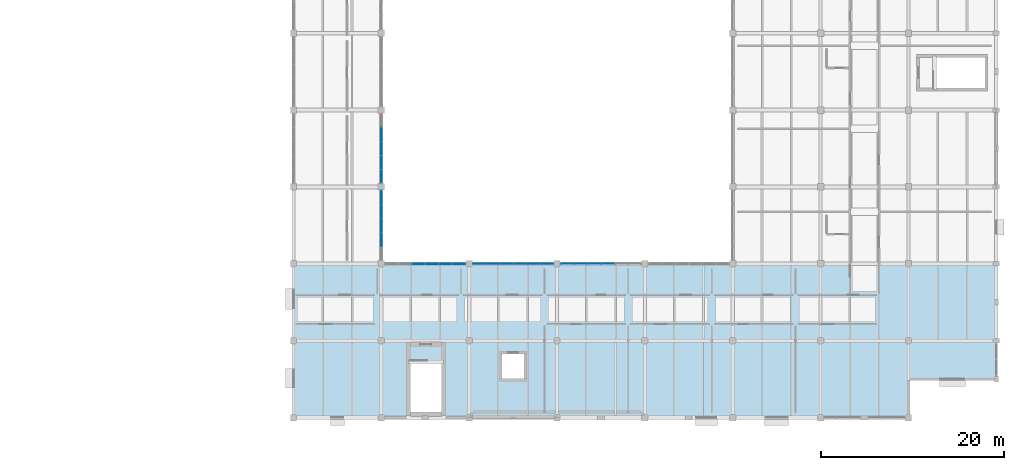
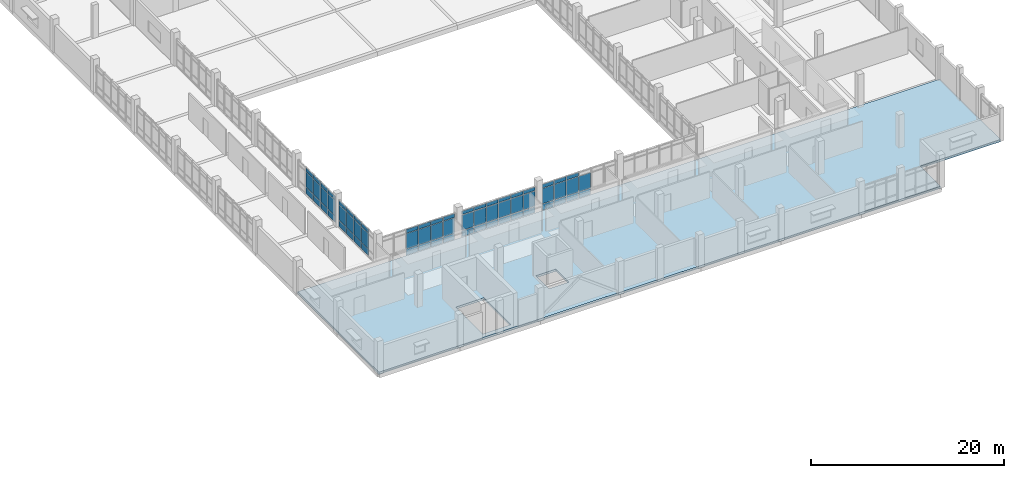
# One storey, part 26 of 57: 65 plates, 1 slab, 5 elements without a shape of their own.
"""IFC4 building model written with IfcOpenShell, lengths in metres."""

from ifc_helpers import new_model, si_unit, direction, frame, origin, origin_2d, place, context, subcontext, project, spatial, polyline, rectangle, outline, extrude, material, layer, layer_set, type_object, element, aggregate, save


model = new_model("IFC4")

# Units and contexts
model_context = context("Model", 3, precision=1e-05, world=origin(), true_north=direction((0.0, 1.0)))
body_context = subcontext(model_context, "Body", "Model", "MODEL_VIEW")
ifc_project = project(units=[si_unit("LENGTHUNIT", "METRE"), si_unit("AREAUNIT", "SQUARE_METRE"), si_unit("VOLUMEUNIT", "CUBIC_METRE"), si_unit("PLANEANGLEUNIT", "RADIAN"), si_unit("MASSUNIT", "GRAM", prefix="KILO")], contexts=[model_context])

# Site, building, storey
site_placement = place(None, origin())
site = spatial("IfcSite", under=ifc_project, at=site_placement, CompositionType="ELEMENT")
building_placement = place(site_placement, origin())
building = spatial("IfcBuilding", under=site, at=building_placement, Name="Oolite Switchyard Hospital", CompositionType="ELEMENT")
storey_placement = place(building_placement, frame((0.0, 0.0, 17.800048828125)))
storey = spatial("IfcBuildingStorey", under=building, at=storey_placement, Name="L04", CompositionType="ELEMENT", Elevation=17.800048828125)

# Curtain wall, plates
ifc_material_1 = material(Name="Thermally broken aluminum frame with laminated impact glazing", Category="aluminium")
curtain_wall_type_1 = type_object("IfcCurtainWallType", Name="CW-UNIT-84X42", PredefinedType="USERDEFINED", material=ifc_material_1)
curtain_wall_1_placement = place(storey_placement, origin())
curtain_wall_1 = element("IfcCurtainWall", 1, at=curtain_wall_1_placement, inside=storey, type_object=curtain_wall_type_1, Name="L04 Unitised Curtain Wall 368", ObjectType="UNITISED", PredefinedType="USERDEFINED")
ifc_material_2 = material(Name="Insulated fluoropolymer-coated aluminum spandrel panel", Category="aluminium")
ifc_layer_1 = layer(ifc_material_2, 0.054931640625)
ifc_layer_set_1 = layer_set([ifc_layer_1], Name="CW-PNL-SPN55")
plate_type_1 = type_object("IfcPlateType", Name="CW-PNL-SPN55", PredefinedType="CURTAIN_PANEL", material=ifc_layer_set_1)
plate_1_placement = place(storey_placement, frame((144.0, 32.452880859375, 0.06005859375), z_axis=(0.0, 0.0, 1.0), x_axis=(0.0, -1.0, 0.0)))
plate_1 = element("IfcPlate", 2, at=plate_1_placement, type_object=plate_type_1, Name="CW-10 panel 1.1", PredefinedType="CURTAIN_PANEL", context=body_context, shape_type="SweptSolid", body=[
    extrude(rectangle(XDim=1.444091796875, YDim=0.054931640625, at=origin_2d()), origin(), (0.0, 0.0, 1.0), 0.760009765625),
])
plate_2_placement = place(storey_placement, frame((144.0, 32.452880859375, 0.8798828125), z_axis=(0.0, 0.0, 1.0), x_axis=(0.0, -1.0, 0.0)))
plate_2 = element("IfcPlate", 3, at=plate_2_placement, type_object=plate_type_1, Name="CW-10 panel 1.2", PredefinedType="CURTAIN_PANEL", context=body_context, shape_type="SweptSolid", body=[
    extrude(rectangle(XDim=1.444091796875, YDim=0.054931640625, at=origin_2d()), origin(), (0.0, 0.0, 1.0), 1.929931640625),
])
plate_3_placement = place(storey_placement, frame((144.0, 32.452880859375, 2.869873046875), z_axis=(0.0, 0.0, 1.0), x_axis=(0.0, -1.0, 0.0)))
plate_3 = element("IfcPlate", 4, at=plate_3_placement, type_object=plate_type_1, Name="CW-10 panel 1.3", PredefinedType="CURTAIN_PANEL", context=body_context, shape_type="SweptSolid", body=[
    extrude(rectangle(XDim=1.444091796875, YDim=0.054931640625, at=origin_2d()), origin(), (0.0, 0.0, 1.0), 0.4599609375),
])
plate_4_placement = place(storey_placement, frame((144.0, 30.93408203125, 0.06005859375), z_axis=(0.0, 0.0, 1.0), x_axis=(0.0, -1.0, 0.0)))
plate_4 = element("IfcPlate", 5, at=plate_4_placement, type_object=plate_type_1, Name="CW-10 panel 2.1", PredefinedType="CURTAIN_PANEL", context=body_context, shape_type="SweptSolid", body=[
    extrude(rectangle(XDim=1.47412109375, YDim=0.054931640625, at=origin_2d()), origin(), (0.0, 0.0, 1.0), 0.760009765625),
])
plate_5_placement = place(storey_placement, frame((144.0, 30.93408203125, 0.8798828125), z_axis=(0.0, 0.0, 1.0), x_axis=(0.0, -1.0, 0.0)))
plate_5 = element("IfcPlate", 6, at=plate_5_placement, type_object=plate_type_1, Name="CW-10 panel 2.2", PredefinedType="CURTAIN_PANEL", context=body_context, shape_type="SweptSolid", body=[
    extrude(rectangle(XDim=1.47412109375, YDim=0.054931640625, at=origin_2d()), origin(), (0.0, 0.0, 1.0), 1.929931640625),
])
plate_6_placement = place(storey_placement, frame((144.0, 30.93408203125, 2.869873046875), z_axis=(0.0, 0.0, 1.0), x_axis=(0.0, -1.0, 0.0)))
plate_6 = element("IfcPlate", 7, at=plate_6_placement, type_object=plate_type_1, Name="CW-10 panel 2.3", PredefinedType="CURTAIN_PANEL", context=body_context, shape_type="SweptSolid", body=[
    extrude(rectangle(XDim=1.47412109375, YDim=0.054931640625, at=origin_2d()), origin(), (0.0, 0.0, 1.0), 0.4599609375),
])
plate_7_placement = place(storey_placement, frame((144.0, 29.39990234375, 0.06005859375), z_axis=(0.0, 0.0, 1.0), x_axis=(0.0, -1.0, 0.0)))
plate_7 = element("IfcPlate", 8, at=plate_7_placement, type_object=plate_type_1, Name="CW-10 panel 3.1", PredefinedType="CURTAIN_PANEL", context=body_context, shape_type="SweptSolid", body=[
    extrude(rectangle(XDim=1.47412109375, YDim=0.054931640625, at=origin_2d()), origin(), (0.0, 0.0, 1.0), 0.760009765625),
])
plate_8_placement = place(storey_placement, frame((144.0, 29.39990234375, 0.8798828125), z_axis=(0.0, 0.0, 1.0), x_axis=(0.0, -1.0, 0.0)))
plate_8 = element("IfcPlate", 9, at=plate_8_placement, type_object=plate_type_1, Name="CW-10 panel 3.2", PredefinedType="CURTAIN_PANEL", context=body_context, shape_type="SweptSolid", body=[
    extrude(rectangle(XDim=1.47412109375, YDim=0.054931640625, at=origin_2d()), origin(), (0.0, 0.0, 1.0), 1.929931640625),
])
plate_9_placement = place(storey_placement, frame((144.0, 29.39990234375, 2.869873046875), z_axis=(0.0, 0.0, 1.0), x_axis=(0.0, -1.0, 0.0)))
plate_9 = element("IfcPlate", 10, at=plate_9_placement, type_object=plate_type_1, Name="CW-10 panel 3.3", PredefinedType="CURTAIN_PANEL", context=body_context, shape_type="SweptSolid", body=[
    extrude(rectangle(XDim=1.47412109375, YDim=0.054931640625, at=origin_2d()), origin(), (0.0, 0.0, 1.0), 0.4599609375),
])
plate_10_placement = place(storey_placement, frame((144.0, 27.865966796875, 0.06005859375), z_axis=(0.0, 0.0, 1.0), x_axis=(0.0, -1.0, 0.0)))
plate_10 = element("IfcPlate", 11, at=plate_10_placement, type_object=plate_type_1, Name="CW-10 panel 4.1", PredefinedType="CURTAIN_PANEL", context=body_context, shape_type="SweptSolid", body=[
    extrude(rectangle(XDim=1.47412109375, YDim=0.054931640625, at=origin_2d()), origin(), (0.0, 0.0, 1.0), 0.760009765625),
])
plate_11_placement = place(storey_placement, frame((144.0, 27.865966796875, 0.8798828125), z_axis=(0.0, 0.0, 1.0), x_axis=(0.0, -1.0, 0.0)))
plate_11 = element("IfcPlate", 12, at=plate_11_placement, type_object=plate_type_1, Name="CW-10 panel 4.2", PredefinedType="CURTAIN_PANEL", context=body_context, shape_type="SweptSolid", body=[
    extrude(rectangle(XDim=1.47412109375, YDim=0.054931640625, at=origin_2d()), origin(), (0.0, 0.0, 1.0), 1.929931640625),
])
plate_12_placement = place(storey_placement, frame((144.0, 27.865966796875, 2.869873046875), z_axis=(0.0, 0.0, 1.0), x_axis=(0.0, -1.0, 0.0)))
plate_12 = element("IfcPlate", 13, at=plate_12_placement, type_object=plate_type_1, Name="CW-10 panel 4.3", PredefinedType="CURTAIN_PANEL", context=body_context, shape_type="SweptSolid", body=[
    extrude(rectangle(XDim=1.47412109375, YDim=0.054931640625, at=origin_2d()), origin(), (0.0, 0.0, 1.0), 0.4599609375),
])
aggregate(curtain_wall_1, [plate_1, plate_2, plate_3, plate_4, plate_5, plate_6, plate_7, plate_8, plate_9, plate_10, plate_11, plate_12])

curtain_wall_type_2 = type_object("IfcCurtainWallType", Name="CW-UNIT-96X42", PredefinedType="USERDEFINED", material=ifc_material_1)
curtain_wall_2_placement = place(storey_placement, origin())
curtain_wall_2 = element("IfcCurtainWall", 14, at=curtain_wall_2_placement, inside=storey, type_object=curtain_wall_type_2, Name="L04 Unitised Curtain Wall 358", ObjectType="UNITISED", PredefinedType="USERDEFINED")
ifc_layer_2 = layer(ifc_material_2, 0.070068359375)
ifc_layer_set_2 = layer_set([ifc_layer_2], Name="CW-PNL-SPN70")
plate_type_2 = type_object("IfcPlateType", Name="CW-PNL-SPN70", PredefinedType="CURTAIN_PANEL", material=ifc_layer_set_2)
plate_13_placement = place(storey_placement, frame((148.060791015625, 25.199951171875, 0.06005859375), z_axis=(0.0, 0.0, 1.0), x_axis=(1.0, 0.0, 0.0)))
plate_13 = element("IfcPlate", 15, at=plate_13_placement, type_object=plate_type_2, Name="CW-05 panel 3.1", PredefinedType="CURTAIN_PANEL", context=body_context, shape_type="SweptSolid", body=[
    extrude(rectangle(XDim=1.4033203125, YDim=0.070068359375, at=origin_2d()), origin(), (0.0, 0.0, 1.0), 0.760009765625),
])
plate_14_placement = place(storey_placement, frame((148.060791015625, 25.199951171875, 0.8798828125), z_axis=(0.0, 0.0, 1.0), x_axis=(1.0, 0.0, 0.0)))
plate_14 = element("IfcPlate", 16, at=plate_14_placement, type_object=plate_type_2, Name="CW-05 panel 3.2", PredefinedType="CURTAIN_PANEL", context=body_context, shape_type="SweptSolid", body=[
    extrude(rectangle(XDim=1.4033203125, YDim=0.070068359375, at=origin_2d()), origin(), (0.0, 0.0, 1.0), 1.929931640625),
])
plate_15_placement = place(storey_placement, frame((148.060791015625, 25.199951171875, 2.869873046875), z_axis=(0.0, 0.0, 1.0), x_axis=(1.0, 0.0, 0.0)))
plate_15 = element("IfcPlate", 17, at=plate_15_placement, type_object=plate_type_2, Name="CW-05 panel 3.3", PredefinedType="CURTAIN_PANEL", context=body_context, shape_type="SweptSolid", body=[
    extrude(rectangle(XDim=1.4033203125, YDim=0.070068359375, at=origin_2d()), origin(), (0.0, 0.0, 1.0), 0.4599609375),
])
plate_16_placement = place(storey_placement, frame((149.5390625, 25.199951171875, 0.06005859375), z_axis=(0.0, 0.0, 1.0), x_axis=(1.0, 0.0, 0.0)))
plate_16 = element("IfcPlate", 18, at=plate_16_placement, type_object=plate_type_2, Name="CW-05 panel 4.1", PredefinedType="CURTAIN_PANEL", context=body_context, shape_type="SweptSolid", body=[
    extrude(rectangle(XDim=1.4033203125, YDim=0.070068359375, at=origin_2d()), origin(), (0.0, 0.0, 1.0), 0.760009765625),
])
plate_17_placement = place(storey_placement, frame((149.5390625, 25.199951171875, 0.8798828125), z_axis=(0.0, 0.0, 1.0), x_axis=(1.0, 0.0, 0.0)))
plate_17 = element("IfcPlate", 19, at=plate_17_placement, type_object=plate_type_2, Name="CW-05 panel 4.2", PredefinedType="CURTAIN_PANEL", context=body_context, shape_type="SweptSolid", body=[
    extrude(rectangle(XDim=1.4033203125, YDim=0.070068359375, at=origin_2d()), origin(), (0.0, 0.0, 1.0), 1.929931640625),
])
plate_18_placement = place(storey_placement, frame((149.5390625, 25.199951171875, 2.869873046875), z_axis=(0.0, 0.0, 1.0), x_axis=(1.0, 0.0, 0.0)))
plate_18 = element("IfcPlate", 20, at=plate_18_placement, type_object=plate_type_2, Name="CW-05 panel 4.3", PredefinedType="CURTAIN_PANEL", context=body_context, shape_type="SweptSolid", body=[
    extrude(rectangle(XDim=1.4033203125, YDim=0.070068359375, at=origin_2d()), origin(), (0.0, 0.0, 1.0), 0.4599609375),
])
plate_19_placement = place(storey_placement, frame((151.017578125, 25.199951171875, 0.06005859375), z_axis=(0.0, 0.0, 1.0), x_axis=(1.0, 0.0, 0.0)))
plate_19 = element("IfcPlate", 21, at=plate_19_placement, type_object=plate_type_2, Name="CW-05 panel 5.1", PredefinedType="CURTAIN_PANEL", context=body_context, shape_type="SweptSolid", body=[
    extrude(rectangle(XDim=1.4033203125, YDim=0.070068359375, at=origin_2d()), origin(), (0.0, 0.0, 1.0), 0.760009765625),
])
plate_20_placement = place(storey_placement, frame((151.017578125, 25.199951171875, 0.8798828125), z_axis=(0.0, 0.0, 1.0), x_axis=(1.0, 0.0, 0.0)))
plate_20 = element("IfcPlate", 22, at=plate_20_placement, type_object=plate_type_2, Name="CW-05 panel 5.2", PredefinedType="CURTAIN_PANEL", context=body_context, shape_type="SweptSolid", body=[
    extrude(rectangle(XDim=1.4033203125, YDim=0.070068359375, at=origin_2d()), origin(), (0.0, 0.0, 1.0), 1.929931640625),
])
plate_21_placement = place(storey_placement, frame((151.017578125, 25.199951171875, 2.869873046875), z_axis=(0.0, 0.0, 1.0), x_axis=(1.0, 0.0, 0.0)))
plate_21 = element("IfcPlate", 23, at=plate_21_placement, type_object=plate_type_2, Name="CW-05 panel 5.3", PredefinedType="CURTAIN_PANEL", context=body_context, shape_type="SweptSolid", body=[
    extrude(rectangle(XDim=1.4033203125, YDim=0.070068359375, at=origin_2d()), origin(), (0.0, 0.0, 1.0), 0.4599609375),
])
plate_22_placement = place(storey_placement, frame((152.47705078125, 25.199951171875, 0.06005859375), z_axis=(0.0, 0.0, 1.0), x_axis=(1.0, 0.0, 0.0)))
plate_22 = element("IfcPlate", 24, at=plate_22_placement, type_object=plate_type_2, Name="CW-05 panel 6.1", PredefinedType="CURTAIN_PANEL", context=body_context, shape_type="SweptSolid", body=[
    extrude(rectangle(XDim=1.36572265625, YDim=0.070068359375, at=origin_2d()), origin(), (0.0, 0.0, 1.0), 0.760009765625),
])
plate_23_placement = place(storey_placement, frame((152.47705078125, 25.199951171875, 0.8798828125), z_axis=(0.0, 0.0, 1.0), x_axis=(1.0, 0.0, 0.0)))
plate_23 = element("IfcPlate", 25, at=plate_23_placement, type_object=plate_type_2, Name="CW-05 panel 6.2", PredefinedType="CURTAIN_PANEL", context=body_context, shape_type="SweptSolid", body=[
    extrude(rectangle(XDim=1.36572265625, YDim=0.070068359375, at=origin_2d()), origin(), (0.0, 0.0, 1.0), 1.929931640625),
])
plate_24_placement = place(storey_placement, frame((152.47705078125, 25.199951171875, 2.869873046875), z_axis=(0.0, 0.0, 1.0), x_axis=(1.0, 0.0, 0.0)))
plate_24 = element("IfcPlate", 26, at=plate_24_placement, type_object=plate_type_2, Name="CW-05 panel 6.3", PredefinedType="CURTAIN_PANEL", context=body_context, shape_type="SweptSolid", body=[
    extrude(rectangle(XDim=1.36572265625, YDim=0.070068359375, at=origin_2d()), origin(), (0.0, 0.0, 1.0), 0.4599609375),
])
aggregate(curtain_wall_2, [plate_13, plate_14, plate_15, plate_16, plate_17, plate_18, plate_19, plate_20, plate_21, plate_22, plate_23, plate_24])

curtain_wall_3_placement = place(storey_placement, origin())
curtain_wall_3 = element("IfcCurtainWall", 27, at=curtain_wall_3_placement, inside=storey, type_object=curtain_wall_type_2, Name="L04 Unitised Curtain Wall 359", ObjectType="UNITISED", PredefinedType="USERDEFINED")
ifc_material_3 = material(Name="Laminated hurricane-impact insulated glazing unit", Category="glass")
ifc_layer_3 = layer(ifc_material_3, 0.031982421875)
ifc_layer_set_3 = layer_set([ifc_layer_3], Name="CW-PNL-VIS32")
plate_type_3 = type_object("IfcPlateType", Name="CW-PNL-VIS32", PredefinedType="CURTAIN_PANEL", material=ifc_layer_set_3)
plate_25_placement = place(storey_placement, frame((154.71923828125, 25.199951171875, 0.07470703125), z_axis=(0.0, 0.0, 1.0), x_axis=(1.0, 0.0, 0.0)))
plate_25 = element("IfcPlate", 28, at=plate_25_placement, type_object=plate_type_3, Name="CW-05 panel 1.1", PredefinedType="CURTAIN_PANEL", context=body_context, shape_type="SweptSolid", body=[
    extrude(rectangle(XDim=1.388427734375, YDim=0.031982421875, at=origin_2d()), origin(), (0.0, 0.0, 1.0), 0.737548828125),
])
plate_26_placement = place(storey_placement, frame((154.71923828125, 25.199951171875, 0.887451171875), z_axis=(0.0, 0.0, 1.0), x_axis=(1.0, 0.0, 0.0)))
plate_26 = element("IfcPlate", 29, at=plate_26_placement, type_object=plate_type_3, Name="CW-05 panel 1.2", PredefinedType="CURTAIN_PANEL", context=body_context, shape_type="SweptSolid", body=[
    extrude(rectangle(XDim=1.388427734375, YDim=0.031982421875, at=origin_2d()), origin(), (0.0, 0.0, 1.0), 1.9150390625),
])
plate_27_placement = place(storey_placement, frame((154.71923828125, 25.199951171875, 2.87744140625), z_axis=(0.0, 0.0, 1.0), x_axis=(1.0, 0.0, 0.0)))
plate_27 = element("IfcPlate", 30, at=plate_27_placement, type_object=plate_type_3, Name="CW-05 panel 1.3", PredefinedType="CURTAIN_PANEL", context=body_context, shape_type="SweptSolid", body=[
    extrude(rectangle(XDim=1.388427734375, YDim=0.031982421875, at=origin_2d()), origin(), (0.0, 0.0, 1.0), 0.4375),
])
plate_28_placement = place(storey_placement, frame((156.1826171875, 25.199951171875, 0.07470703125), z_axis=(0.0, 0.0, 1.0), x_axis=(1.0, 0.0, 0.0)))
plate_28 = element("IfcPlate", 31, at=plate_28_placement, type_object=plate_type_3, Name="CW-05 panel 2.1", PredefinedType="CURTAIN_PANEL", context=body_context, shape_type="SweptSolid", body=[
    extrude(rectangle(XDim=1.418212890625, YDim=0.031982421875, at=origin_2d()), origin(), (0.0, 0.0, 1.0), 0.737548828125),
])
plate_29_placement = place(storey_placement, frame((156.1826171875, 25.199951171875, 0.887451171875), z_axis=(0.0, 0.0, 1.0), x_axis=(1.0, 0.0, 0.0)))
plate_29 = element("IfcPlate", 32, at=plate_29_placement, type_object=plate_type_3, Name="CW-05 panel 2.2", PredefinedType="CURTAIN_PANEL", context=body_context, shape_type="SweptSolid", body=[
    extrude(rectangle(XDim=1.418212890625, YDim=0.031982421875, at=origin_2d()), origin(), (0.0, 0.0, 1.0), 1.9150390625),
])
plate_30_placement = place(storey_placement, frame((156.1826171875, 25.199951171875, 2.87744140625), z_axis=(0.0, 0.0, 1.0), x_axis=(1.0, 0.0, 0.0)))
plate_30 = element("IfcPlate", 33, at=plate_30_placement, type_object=plate_type_3, Name="CW-05 panel 2.3", PredefinedType="CURTAIN_PANEL", context=body_context, shape_type="SweptSolid", body=[
    extrude(rectangle(XDim=1.418212890625, YDim=0.031982421875, at=origin_2d()), origin(), (0.0, 0.0, 1.0), 0.4375),
])
plate_31_placement = place(storey_placement, frame((157.660888671875, 25.199951171875, 0.07470703125), z_axis=(0.0, 0.0, 1.0), x_axis=(1.0, 0.0, 0.0)))
plate_31 = element("IfcPlate", 34, at=plate_31_placement, type_object=plate_type_3, Name="CW-05 panel 3.1", PredefinedType="CURTAIN_PANEL", context=body_context, shape_type="SweptSolid", body=[
    extrude(rectangle(XDim=1.418212890625, YDim=0.031982421875, at=origin_2d()), origin(), (0.0, 0.0, 1.0), 0.737548828125),
])
plate_32_placement = place(storey_placement, frame((157.660888671875, 25.199951171875, 0.887451171875), z_axis=(0.0, 0.0, 1.0), x_axis=(1.0, 0.0, 0.0)))
plate_32 = element("IfcPlate", 35, at=plate_32_placement, type_object=plate_type_3, Name="CW-05 panel 3.2", PredefinedType="CURTAIN_PANEL", context=body_context, shape_type="SweptSolid", body=[
    extrude(rectangle(XDim=1.418212890625, YDim=0.031982421875, at=origin_2d()), origin(), (0.0, 0.0, 1.0), 1.9150390625),
])
plate_33_placement = place(storey_placement, frame((157.660888671875, 25.199951171875, 2.87744140625), z_axis=(0.0, 0.0, 1.0), x_axis=(1.0, 0.0, 0.0)))
plate_33 = element("IfcPlate", 36, at=plate_33_placement, type_object=plate_type_3, Name="CW-05 panel 3.3", PredefinedType="CURTAIN_PANEL", context=body_context, shape_type="SweptSolid", body=[
    extrude(rectangle(XDim=1.418212890625, YDim=0.031982421875, at=origin_2d()), origin(), (0.0, 0.0, 1.0), 0.4375),
])
plate_34_placement = place(storey_placement, frame((159.13916015625, 25.199951171875, 0.07470703125), z_axis=(0.0, 0.0, 1.0), x_axis=(1.0, 0.0, 0.0)))
plate_34 = element("IfcPlate", 37, at=plate_34_placement, type_object=plate_type_3, Name="CW-05 panel 4.1", PredefinedType="CURTAIN_PANEL", context=body_context, shape_type="SweptSolid", body=[
    extrude(rectangle(XDim=1.418212890625, YDim=0.031982421875, at=origin_2d()), origin(), (0.0, 0.0, 1.0), 0.737548828125),
])
plate_35_placement = place(storey_placement, frame((159.13916015625, 25.199951171875, 0.887451171875), z_axis=(0.0, 0.0, 1.0), x_axis=(1.0, 0.0, 0.0)))
plate_35 = element("IfcPlate", 38, at=plate_35_placement, type_object=plate_type_3, Name="CW-05 panel 4.2", PredefinedType="CURTAIN_PANEL", context=body_context, shape_type="SweptSolid", body=[
    extrude(rectangle(XDim=1.418212890625, YDim=0.031982421875, at=origin_2d()), origin(), (0.0, 0.0, 1.0), 1.9150390625),
])
plate_36_placement = place(storey_placement, frame((159.13916015625, 25.199951171875, 2.87744140625), z_axis=(0.0, 0.0, 1.0), x_axis=(1.0, 0.0, 0.0)))
plate_36 = element("IfcPlate", 39, at=plate_36_placement, type_object=plate_type_3, Name="CW-05 panel 4.3", PredefinedType="CURTAIN_PANEL", context=body_context, shape_type="SweptSolid", body=[
    extrude(rectangle(XDim=1.418212890625, YDim=0.031982421875, at=origin_2d()), origin(), (0.0, 0.0, 1.0), 0.4375),
])
plate_37_placement = place(storey_placement, frame((160.617431640625, 25.199951171875, 0.07470703125), z_axis=(0.0, 0.0, 1.0), x_axis=(1.0, 0.0, 0.0)))
plate_37 = element("IfcPlate", 40, at=plate_37_placement, type_object=plate_type_3, Name="CW-05 panel 5.1", PredefinedType="CURTAIN_PANEL", context=body_context, shape_type="SweptSolid", body=[
    extrude(rectangle(XDim=1.418212890625, YDim=0.031982421875, at=origin_2d()), origin(), (0.0, 0.0, 1.0), 0.737548828125),
])
plate_38_placement = place(storey_placement, frame((160.617431640625, 25.199951171875, 0.887451171875), z_axis=(0.0, 0.0, 1.0), x_axis=(1.0, 0.0, 0.0)))
plate_38 = element("IfcPlate", 41, at=plate_38_placement, type_object=plate_type_3, Name="CW-05 panel 5.2", PredefinedType="CURTAIN_PANEL", context=body_context, shape_type="SweptSolid", body=[
    extrude(rectangle(XDim=1.418212890625, YDim=0.031982421875, at=origin_2d()), origin(), (0.0, 0.0, 1.0), 1.9150390625),
])
plate_39_placement = place(storey_placement, frame((160.617431640625, 25.199951171875, 2.87744140625), z_axis=(0.0, 0.0, 1.0), x_axis=(1.0, 0.0, 0.0)))
plate_39 = element("IfcPlate", 42, at=plate_39_placement, type_object=plate_type_3, Name="CW-05 panel 5.3", PredefinedType="CURTAIN_PANEL", context=body_context, shape_type="SweptSolid", body=[
    extrude(rectangle(XDim=1.418212890625, YDim=0.031982421875, at=origin_2d()), origin(), (0.0, 0.0, 1.0), 0.4375),
])
plate_40_placement = place(storey_placement, frame((162.080810546875, 25.199951171875, 0.07470703125), z_axis=(0.0, 0.0, 1.0), x_axis=(1.0, 0.0, 0.0)))
plate_40 = element("IfcPlate", 43, at=plate_40_placement, type_object=plate_type_3, Name="CW-05 panel 6.1", PredefinedType="CURTAIN_PANEL", context=body_context, shape_type="SweptSolid", body=[
    extrude(rectangle(XDim=1.388427734375, YDim=0.031982421875, at=origin_2d()), origin(), (0.0, 0.0, 1.0), 0.737548828125),
])
plate_41_placement = place(storey_placement, frame((162.080810546875, 25.199951171875, 0.887451171875), z_axis=(0.0, 0.0, 1.0), x_axis=(1.0, 0.0, 0.0)))
plate_41 = element("IfcPlate", 44, at=plate_41_placement, type_object=plate_type_3, Name="CW-05 panel 6.2", PredefinedType="CURTAIN_PANEL", context=body_context, shape_type="SweptSolid", body=[
    extrude(rectangle(XDim=1.388427734375, YDim=0.031982421875, at=origin_2d()), origin(), (0.0, 0.0, 1.0), 1.9150390625),
])
plate_42_placement = place(storey_placement, frame((162.080810546875, 25.199951171875, 2.87744140625), z_axis=(0.0, 0.0, 1.0), x_axis=(1.0, 0.0, 0.0)))
plate_42 = element("IfcPlate", 45, at=plate_42_placement, type_object=plate_type_3, Name="CW-05 panel 6.3", PredefinedType="CURTAIN_PANEL", context=body_context, shape_type="SweptSolid", body=[
    extrude(rectangle(XDim=1.388427734375, YDim=0.031982421875, at=origin_2d()), origin(), (0.0, 0.0, 1.0), 0.4375),
])
aggregate(curtain_wall_3, [plate_25, plate_26, plate_27, plate_28, plate_29, plate_30, plate_31, plate_32, plate_33, plate_34, plate_35, plate_36, plate_37, plate_38, plate_39, plate_40, plate_41, plate_42])

curtain_wall_4_placement = place(storey_placement, origin())
curtain_wall_4 = element("IfcCurtainWall", 46, at=curtain_wall_4_placement, inside=storey, type_object=curtain_wall_type_2, Name="L04 Unitised Curtain Wall 360", ObjectType="UNITISED", PredefinedType="USERDEFINED")
ifc_layer_4 = layer(ifc_material_3, 0.035888671875)
ifc_layer_set_4 = layer_set([ifc_layer_4], Name="CW-PNL-VIS36")
plate_type_4 = type_object("IfcPlateType", Name="CW-PNL-VIS36", PredefinedType="CURTAIN_PANEL", material=ifc_layer_set_4)
plate_43_placement = place(storey_placement, frame((164.32177734375, 25.199951171875, 0.06005859375), z_axis=(0.0, 0.0, 1.0), x_axis=(1.0, 0.0, 0.0)))
plate_43 = element("IfcPlate", 47, at=plate_43_placement, type_object=plate_type_4, Name="CW-05 panel 1.1", PredefinedType="CURTAIN_PANEL", context=body_context, shape_type="SweptSolid", body=[
    extrude(rectangle(XDim=1.373291015625, YDim=0.035888671875, at=origin_2d()), origin(), (0.0, 0.0, 1.0), 0.760009765625),
])
plate_44_placement = place(storey_placement, frame((164.32177734375, 25.199951171875, 0.8798828125), z_axis=(0.0, 0.0, 1.0), x_axis=(1.0, 0.0, 0.0)))
plate_44 = element("IfcPlate", 48, at=plate_44_placement, type_object=plate_type_4, Name="CW-05 panel 1.2", PredefinedType="CURTAIN_PANEL", context=body_context, shape_type="SweptSolid", body=[
    extrude(rectangle(XDim=1.373291015625, YDim=0.035888671875, at=origin_2d()), origin(), (0.0, 0.0, 1.0), 1.929931640625),
])
plate_45_placement = place(storey_placement, frame((164.32177734375, 25.199951171875, 2.869873046875), z_axis=(0.0, 0.0, 1.0), x_axis=(1.0, 0.0, 0.0)))
plate_45 = element("IfcPlate", 49, at=plate_45_placement, type_object=plate_type_4, Name="CW-05 panel 1.3", PredefinedType="CURTAIN_PANEL", context=body_context, shape_type="SweptSolid", body=[
    extrude(rectangle(XDim=1.373291015625, YDim=0.035888671875, at=origin_2d()), origin(), (0.0, 0.0, 1.0), 0.4599609375),
])
plate_46_placement = place(storey_placement, frame((165.782470703125, 25.199951171875, 0.06005859375), z_axis=(0.0, 0.0, 1.0), x_axis=(1.0, 0.0, 0.0)))
plate_46 = element("IfcPlate", 50, at=plate_46_placement, type_object=plate_type_4, Name="CW-05 panel 2.1", PredefinedType="CURTAIN_PANEL", context=body_context, shape_type="SweptSolid", body=[
    extrude(rectangle(XDim=1.408447265625, YDim=0.035888671875, at=origin_2d()), origin(), (0.0, 0.0, 1.0), 0.760009765625),
])
plate_47_placement = place(storey_placement, frame((165.782470703125, 25.199951171875, 0.8798828125), z_axis=(0.0, 0.0, 1.0), x_axis=(1.0, 0.0, 0.0)))
plate_47 = element("IfcPlate", 51, at=plate_47_placement, type_object=plate_type_4, Name="CW-05 panel 2.2", PredefinedType="CURTAIN_PANEL", context=body_context, shape_type="SweptSolid", body=[
    extrude(rectangle(XDim=1.408447265625, YDim=0.035888671875, at=origin_2d()), origin(), (0.0, 0.0, 1.0), 1.929931640625),
])
plate_48_placement = place(storey_placement, frame((165.782470703125, 25.199951171875, 2.869873046875), z_axis=(0.0, 0.0, 1.0), x_axis=(1.0, 0.0, 0.0)))
plate_48 = element("IfcPlate", 52, at=plate_48_placement, type_object=plate_type_4, Name="CW-05 panel 2.3", PredefinedType="CURTAIN_PANEL", context=body_context, shape_type="SweptSolid", body=[
    extrude(rectangle(XDim=1.408447265625, YDim=0.035888671875, at=origin_2d()), origin(), (0.0, 0.0, 1.0), 0.4599609375),
])
plate_49_placement = place(storey_placement, frame((167.2607421875, 25.199951171875, 0.06005859375), z_axis=(0.0, 0.0, 1.0), x_axis=(1.0, 0.0, 0.0)))
plate_49 = element("IfcPlate", 53, at=plate_49_placement, type_object=plate_type_4, Name="CW-05 panel 3.1", PredefinedType="CURTAIN_PANEL", context=body_context, shape_type="SweptSolid", body=[
    extrude(rectangle(XDim=1.408447265625, YDim=0.035888671875, at=origin_2d()), origin(), (0.0, 0.0, 1.0), 0.760009765625),
])
plate_50_placement = place(storey_placement, frame((167.2607421875, 25.199951171875, 0.8798828125), z_axis=(0.0, 0.0, 1.0), x_axis=(1.0, 0.0, 0.0)))
plate_50 = element("IfcPlate", 54, at=plate_50_placement, type_object=plate_type_4, Name="CW-05 panel 3.2", PredefinedType="CURTAIN_PANEL", context=body_context, shape_type="SweptSolid", body=[
    extrude(rectangle(XDim=1.408447265625, YDim=0.035888671875, at=origin_2d()), origin(), (0.0, 0.0, 1.0), 1.929931640625),
])
plate_51_placement = place(storey_placement, frame((167.2607421875, 25.199951171875, 2.869873046875), z_axis=(0.0, 0.0, 1.0), x_axis=(1.0, 0.0, 0.0)))
plate_51 = element("IfcPlate", 55, at=plate_51_placement, type_object=plate_type_4, Name="CW-05 panel 3.3", PredefinedType="CURTAIN_PANEL", context=body_context, shape_type="SweptSolid", body=[
    extrude(rectangle(XDim=1.408447265625, YDim=0.035888671875, at=origin_2d()), origin(), (0.0, 0.0, 1.0), 0.4599609375),
])
plate_52_placement = place(storey_placement, frame((168.7392578125, 25.199951171875, 0.06005859375), z_axis=(0.0, 0.0, 1.0), x_axis=(1.0, 0.0, 0.0)))
plate_52 = element("IfcPlate", 56, at=plate_52_placement, type_object=plate_type_4, Name="CW-05 panel 4.1", PredefinedType="CURTAIN_PANEL", context=body_context, shape_type="SweptSolid", body=[
    extrude(rectangle(XDim=1.408447265625, YDim=0.035888671875, at=origin_2d()), origin(), (0.0, 0.0, 1.0), 0.760009765625),
])
plate_53_placement = place(storey_placement, frame((168.7392578125, 25.199951171875, 0.8798828125), z_axis=(0.0, 0.0, 1.0), x_axis=(1.0, 0.0, 0.0)))
plate_53 = element("IfcPlate", 57, at=plate_53_placement, type_object=plate_type_4, Name="CW-05 panel 4.2", PredefinedType="CURTAIN_PANEL", context=body_context, shape_type="SweptSolid", body=[
    extrude(rectangle(XDim=1.408447265625, YDim=0.035888671875, at=origin_2d()), origin(), (0.0, 0.0, 1.0), 1.929931640625),
])
aggregate(curtain_wall_4, [plate_43, plate_44, plate_45, plate_46, plate_47, plate_48, plate_49, plate_50, plate_51, plate_52, plate_53])

curtain_wall_5_placement = place(storey_placement, origin())
curtain_wall_5 = element("IfcCurtainWall", 58, at=curtain_wall_5_placement, inside=storey, type_object=curtain_wall_type_1, Name="L04 Unitised Curtain Wall 372", ObjectType="UNITISED", PredefinedType="USERDEFINED")
ifc_layer_5 = layer(ifc_material_3, 0.0419921875)
ifc_layer_set_5 = layer_set([ifc_layer_5], Name="CW-PNL-VIS42")
plate_type_5 = type_object("IfcPlateType", Name="CW-PNL-VIS42", PredefinedType="CURTAIN_PANEL", material=ifc_layer_set_5)
plate_54_placement = place(storey_placement, frame((144.0, 39.333984375, 0.06005859375), z_axis=(0.0, 0.0, 1.0), x_axis=(0.0, -1.0, 0.0)))
plate_54 = element("IfcPlate", 59, at=plate_54_placement, type_object=plate_type_5, Name="CW-10 panel 2.1", PredefinedType="CURTAIN_PANEL", context=body_context, shape_type="SweptSolid", body=[
    extrude(rectangle(XDim=1.464111328125, YDim=0.0419921875, at=origin_2d()), origin(), (0.0, 0.0, 1.0), 0.760009765625),
])
plate_55_placement = place(storey_placement, frame((144.0, 39.333984375, 0.8798828125), z_axis=(0.0, 0.0, 1.0), x_axis=(0.0, -1.0, 0.0)))
plate_55 = element("IfcPlate", 60, at=plate_55_placement, type_object=plate_type_5, Name="CW-10 panel 2.2", PredefinedType="CURTAIN_PANEL", context=body_context, shape_type="SweptSolid", body=[
    extrude(rectangle(XDim=1.464111328125, YDim=0.0419921875, at=origin_2d()), origin(), (0.0, 0.0, 1.0), 1.929931640625),
])
plate_56_placement = place(storey_placement, frame((144.0, 39.333984375, 2.869873046875), z_axis=(0.0, 0.0, 1.0), x_axis=(0.0, -1.0, 0.0)))
plate_56 = element("IfcPlate", 61, at=plate_56_placement, type_object=plate_type_5, Name="CW-10 panel 2.3", PredefinedType="CURTAIN_PANEL", context=body_context, shape_type="SweptSolid", body=[
    extrude(rectangle(XDim=1.464111328125, YDim=0.0419921875, at=origin_2d()), origin(), (0.0, 0.0, 1.0), 0.4599609375),
])
plate_57_placement = place(storey_placement, frame((144.0, 37.800048828125, 0.06005859375), z_axis=(0.0, 0.0, 1.0), x_axis=(0.0, -1.0, 0.0)))
plate_57 = element("IfcPlate", 62, at=plate_57_placement, type_object=plate_type_5, Name="CW-10 panel 3.1", PredefinedType="CURTAIN_PANEL", context=body_context, shape_type="SweptSolid", body=[
    extrude(rectangle(XDim=1.464111328125, YDim=0.0419921875, at=origin_2d()), origin(), (0.0, 0.0, 1.0), 0.760009765625),
])
plate_58_placement = place(storey_placement, frame((144.0, 37.800048828125, 0.8798828125), z_axis=(0.0, 0.0, 1.0), x_axis=(0.0, -1.0, 0.0)))
plate_58 = element("IfcPlate", 63, at=plate_58_placement, type_object=plate_type_5, Name="CW-10 panel 3.2", PredefinedType="CURTAIN_PANEL", context=body_context, shape_type="SweptSolid", body=[
    extrude(rectangle(XDim=1.464111328125, YDim=0.0419921875, at=origin_2d()), origin(), (0.0, 0.0, 1.0), 1.929931640625),
])
plate_59_placement = place(storey_placement, frame((144.0, 37.800048828125, 2.869873046875), z_axis=(0.0, 0.0, 1.0), x_axis=(0.0, -1.0, 0.0)))
plate_59 = element("IfcPlate", 64, at=plate_59_placement, type_object=plate_type_5, Name="CW-10 panel 3.3", PredefinedType="CURTAIN_PANEL", context=body_context, shape_type="SweptSolid", body=[
    extrude(rectangle(XDim=1.464111328125, YDim=0.0419921875, at=origin_2d()), origin(), (0.0, 0.0, 1.0), 0.4599609375),
])
plate_60_placement = place(storey_placement, frame((144.0, 36.26611328125, 0.06005859375), z_axis=(0.0, 0.0, 1.0), x_axis=(0.0, -1.0, 0.0)))
plate_60 = element("IfcPlate", 65, at=plate_60_placement, type_object=plate_type_5, Name="CW-10 panel 4.1", PredefinedType="CURTAIN_PANEL", context=body_context, shape_type="SweptSolid", body=[
    extrude(rectangle(XDim=1.464111328125, YDim=0.0419921875, at=origin_2d()), origin(), (0.0, 0.0, 1.0), 0.760009765625),
])
plate_61_placement = place(storey_placement, frame((144.0, 36.26611328125, 0.8798828125), z_axis=(0.0, 0.0, 1.0), x_axis=(0.0, -1.0, 0.0)))
plate_61 = element("IfcPlate", 66, at=plate_61_placement, type_object=plate_type_5, Name="CW-10 panel 4.2", PredefinedType="CURTAIN_PANEL", context=body_context, shape_type="SweptSolid", body=[
    extrude(rectangle(XDim=1.464111328125, YDim=0.0419921875, at=origin_2d()), origin(), (0.0, 0.0, 1.0), 1.929931640625),
])
plate_62_placement = place(storey_placement, frame((144.0, 36.26611328125, 2.869873046875), z_axis=(0.0, 0.0, 1.0), x_axis=(0.0, -1.0, 0.0)))
plate_62 = element("IfcPlate", 67, at=plate_62_placement, type_object=plate_type_5, Name="CW-10 panel 4.3", PredefinedType="CURTAIN_PANEL", context=body_context, shape_type="SweptSolid", body=[
    extrude(rectangle(XDim=1.464111328125, YDim=0.0419921875, at=origin_2d()), origin(), (0.0, 0.0, 1.0), 0.4599609375),
])
plate_63_placement = place(storey_placement, frame((144.0, 34.74951171875, 0.06005859375), z_axis=(0.0, 0.0, 1.0), x_axis=(0.0, -1.0, 0.0)))
plate_63 = element("IfcPlate", 68, at=plate_63_placement, type_object=plate_type_5, Name="CW-10 panel 5.1", PredefinedType="CURTAIN_PANEL", context=body_context, shape_type="SweptSolid", body=[
    extrude(rectangle(XDim=1.428955078125, YDim=0.0419921875, at=origin_2d()), origin(), (0.0, 0.0, 1.0), 0.760009765625),
])
plate_64_placement = place(storey_placement, frame((144.0, 34.74951171875, 0.8798828125), z_axis=(0.0, 0.0, 1.0), x_axis=(0.0, -1.0, 0.0)))
plate_64 = element("IfcPlate", 69, at=plate_64_placement, type_object=plate_type_5, Name="CW-10 panel 5.2", PredefinedType="CURTAIN_PANEL", context=body_context, shape_type="SweptSolid", body=[
    extrude(rectangle(XDim=1.428955078125, YDim=0.0419921875, at=origin_2d()), origin(), (0.0, 0.0, 1.0), 1.929931640625),
])
plate_65_placement = place(storey_placement, frame((144.0, 34.74951171875, 2.869873046875), z_axis=(0.0, 0.0, 1.0), x_axis=(0.0, -1.0, 0.0)))
plate_65 = element("IfcPlate", 70, at=plate_65_placement, type_object=plate_type_5, Name="CW-10 panel 5.3", PredefinedType="CURTAIN_PANEL", context=body_context, shape_type="SweptSolid", body=[
    extrude(rectangle(XDim=1.428955078125, YDim=0.0419921875, at=origin_2d()), origin(), (0.0, 0.0, 1.0), 0.4599609375),
])
aggregate(curtain_wall_5, [plate_54, plate_55, plate_56, plate_57, plate_58, plate_59, plate_60, plate_61, plate_62, plate_63, plate_64, plate_65])

# Slab
ifc_material_4 = material(Name="Concrete C40/50", Category="concrete")
ifc_layer_6 = layer(ifc_material_4, 0.27490234375)
ifc_layer_set_6 = layer_set([ifc_layer_6], Name="SLB-FLR-275")
slab_type = type_object("IfcSlabType", Name="SLB-FLR-275", PredefinedType="FLOOR", material=ifc_layer_set_6)
slab_placement = place(storey_placement, frame((0.0, 0.0, -0.275146484375)))
element("IfcSlab", 71, at=slab_placement, inside=storey, type_object=slab_type, Name="L04 V6 Slab V6S", PredefinedType="FLOOR", context=body_context, shape_type="SweptSolid", body=[
    extrude(outline(polyline([(134.39990234375, 8.39990234375), (201.60009765625, 8.39990234375), (201.60009765625, 12.60009765625), (211.199951171875, 12.60009765625), (211.199951171875, 25.199951171875), (134.39990234375, 25.199951171875), (134.39990234375, 8.39990234375)]), holes=[polyline([(147.199951171875, 14.590087890625), (147.199951171875, 9.0), (150.56005859375, 9.0), (150.56005859375, 14.590087890625), (147.199951171875, 14.590087890625)]), polyline([(157.199951171875, 12.64990234375), (159.60009765625, 12.64990234375), (159.60009765625, 15.35009765625), (157.199951171875, 15.35009765625), (157.199951171875, 12.64990234375)])]), origin(), (0.0, 0.0, 1.0), 0.275146484375),
])

save(model, "model.ifc")
